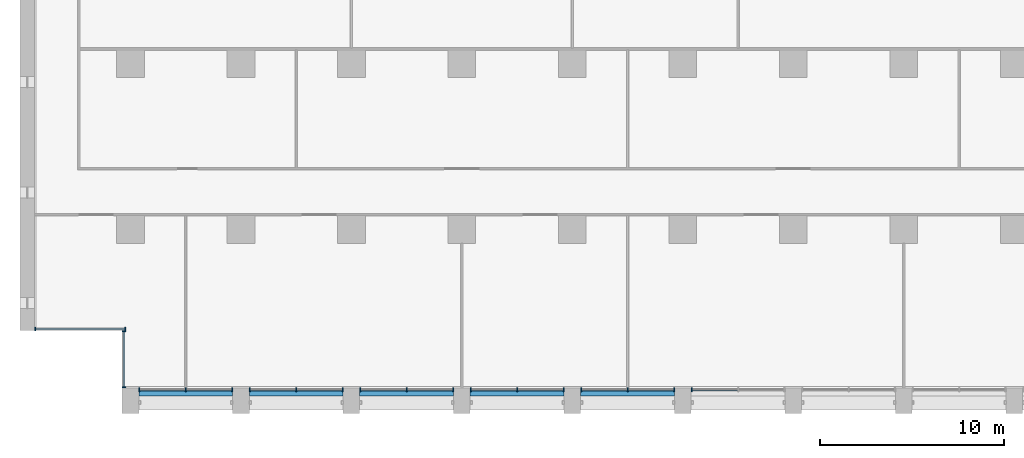
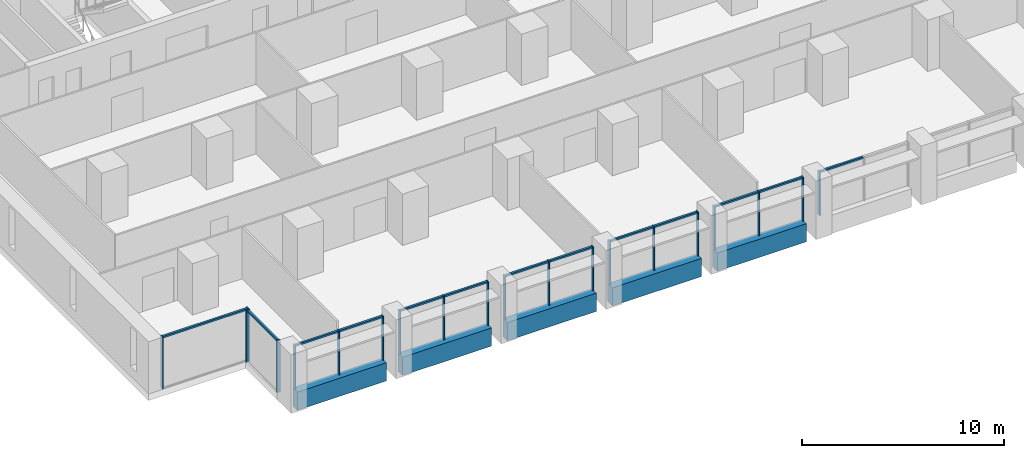
# One storey, part 2 of 18: 33 members, 5 beams, 8 elements without a shape of their own.
"""IFC4 building model written with IfcOpenShell, lengths in metres."""

from ifc_helpers import new_model, si_unit, direction, frame, origin, origin_2d, place, context, subcontext, project, spatial, rectangle, extrude, material, material_profile, profile_set, type_object, element, aggregate, save


model = new_model("IFC4")

# Units and contexts
model_context = context("Model", 3, precision=1e-05, world=origin(), true_north=direction((0.0, 1.0)))
body_context = subcontext(model_context, "Body", "Model", "MODEL_VIEW")
ifc_project = project(units=[si_unit("LENGTHUNIT", "METRE"), si_unit("AREAUNIT", "SQUARE_METRE"), si_unit("VOLUMEUNIT", "CUBIC_METRE"), si_unit("PLANEANGLEUNIT", "RADIAN"), si_unit("MASSUNIT", "GRAM", prefix="KILO")], contexts=[model_context])

# Site, building, storey
site_placement = place(None, origin())
site = spatial("IfcSite", under=ifc_project, at=site_placement, CompositionType="ELEMENT")
building_placement = place(site_placement, origin())
building = spatial("IfcBuilding", under=site, at=building_placement, Name="Calvaro Tower", CompositionType="ELEMENT")
storey_placement = place(building_placement, frame((0.0, 0.0, 86.25)))
storey = spatial("IfcBuildingStorey", under=building, at=storey_placement, Name="L21", CompositionType="ELEMENT", Elevation=86.25)

# Curtain wall, members
ifc_material_1 = material(Name="Anodised aluminium", Category="aluminium")
curtain_wall_type = type_object("IfcCurtainWallType", Name="Office curtain wall, lower zone", PredefinedType="NOTDEFINED", material=ifc_material_1)
curtain_wall_1_placement = place(storey_placement, origin())
curtain_wall_1 = element("IfcCurtainWall", 1, at=curtain_wall_1_placement, inside=storey, type_object=curtain_wall_type, Name="CW1 south curtain wall", PredefinedType="NOTDEFINED")
ifc_material_2 = material(Name="Anodised aluminium", Category="aluminium")
ifc_material_profile_1 = material_profile(ifc_material_2, rectangle(XDim=0.199951171875, YDim=0.06005859375, at=origin_2d()), Name="Mullion S1 60 x 200")
ifc_profile_set_1 = profile_set([ifc_material_profile_1], Name="Anodised aluminium")
member_type_1 = type_object("IfcMemberType", Name="Mullion S1 60 x 200", PredefinedType="MULLION", material=ifc_profile_set_1)
member_1_placement = place(storey_placement, frame((6.47998046875, 1.300048828125, 0.0), z_axis=(0.0, 0.0, 1.0), x_axis=(0.0, 1.0, 0.0)))
member_1 = element("IfcMember", 2, at=member_1_placement, type_object=member_type_1, Name="CW1 mullion 1", PredefinedType="MULLION", context=body_context, shape_type="SweptSolid", body=[
    extrude(rectangle(XDim=0.199951171875, YDim=0.06005859375, at=origin_2d()), origin(), (0.0, 0.0, 1.0), 2.64990234375),
])
member_2_placement = place(storey_placement, frame((9.0, 1.300048828125, 0.0), z_axis=(0.0, 0.0, 1.0), x_axis=(0.0, 1.0, 0.0)))
member_2 = element("IfcMember", 3, at=member_2_placement, type_object=member_type_1, Name="CW1 mullion 2", PredefinedType="MULLION", context=body_context, shape_type="SweptSolid", body=[
    extrude(rectangle(XDim=0.199951171875, YDim=0.06005859375, at=origin_2d()), origin(), (0.0, 0.0, 1.0), 2.64990234375),
])
member_3_placement = place(storey_placement, frame((11.52001953125, 1.300048828125, 0.0), z_axis=(0.0, 0.0, 1.0), x_axis=(0.0, 1.0, 0.0)))
member_3 = element("IfcMember", 4, at=member_3_placement, type_object=member_type_1, Name="CW1 mullion 3", PredefinedType="MULLION", context=body_context, shape_type="SweptSolid", body=[
    extrude(rectangle(XDim=0.199951171875, YDim=0.06005859375, at=origin_2d()), origin(), (0.0, 0.0, 1.0), 2.64990234375),
])

curtain_wall_2_placement = place(storey_placement, origin())
curtain_wall_2 = element("IfcCurtainWall", 5, at=curtain_wall_2_placement, inside=storey, type_object=curtain_wall_type, Name="CW1 south curtain wall", PredefinedType="NOTDEFINED")
member_4_placement = place(storey_placement, frame((12.47998046875, 1.300048828125, 0.0), z_axis=(0.0, 0.0, 1.0), x_axis=(0.0, 1.0, 0.0)))
member_4 = element("IfcMember", 6, at=member_4_placement, type_object=member_type_1, Name="CW1 mullion 1", PredefinedType="MULLION", context=body_context, shape_type="SweptSolid", body=[
    extrude(rectangle(XDim=0.199951171875, YDim=0.06005859375, at=origin_2d()), origin(), (0.0, 0.0, 1.0), 2.64990234375),
])
member_5_placement = place(storey_placement, frame((15.0, 1.300048828125, 0.0), z_axis=(0.0, 0.0, 1.0), x_axis=(0.0, 1.0, 0.0)))
member_5 = element("IfcMember", 7, at=member_5_placement, type_object=member_type_1, Name="CW1 mullion 2", PredefinedType="MULLION", context=body_context, shape_type="SweptSolid", body=[
    extrude(rectangle(XDim=0.199951171875, YDim=0.06005859375, at=origin_2d()), origin(), (0.0, 0.0, 1.0), 2.64990234375),
])
member_6_placement = place(storey_placement, frame((17.52001953125, 1.300048828125, 0.0), z_axis=(0.0, 0.0, 1.0), x_axis=(0.0, 1.0, 0.0)))
member_6 = element("IfcMember", 8, at=member_6_placement, type_object=member_type_1, Name="CW1 mullion 3", PredefinedType="MULLION", context=body_context, shape_type="SweptSolid", body=[
    extrude(rectangle(XDim=0.199951171875, YDim=0.06005859375, at=origin_2d()), origin(), (0.0, 0.0, 1.0), 2.64990234375),
])

curtain_wall_3_placement = place(storey_placement, origin())
curtain_wall_3 = element("IfcCurtainWall", 9, at=curtain_wall_3_placement, inside=storey, type_object=curtain_wall_type, Name="CW1 south curtain wall", PredefinedType="NOTDEFINED")
member_7_placement = place(storey_placement, frame((18.47998046875, 1.300048828125, 0.0), z_axis=(0.0, 0.0, 1.0), x_axis=(0.0, 1.0, 0.0)))
member_7 = element("IfcMember", 10, at=member_7_placement, type_object=member_type_1, Name="CW1 mullion 1", PredefinedType="MULLION", context=body_context, shape_type="SweptSolid", body=[
    extrude(rectangle(XDim=0.199951171875, YDim=0.06005859375, at=origin_2d()), origin(), (0.0, 0.0, 1.0), 2.64990234375),
])
member_8_placement = place(storey_placement, frame((21.0, 1.300048828125, 0.0), z_axis=(0.0, 0.0, 1.0), x_axis=(0.0, 1.0, 0.0)))
member_8 = element("IfcMember", 11, at=member_8_placement, type_object=member_type_1, Name="CW1 mullion 2", PredefinedType="MULLION", context=body_context, shape_type="SweptSolid", body=[
    extrude(rectangle(XDim=0.199951171875, YDim=0.06005859375, at=origin_2d()), origin(), (0.0, 0.0, 1.0), 2.64990234375),
])
member_9_placement = place(storey_placement, frame((23.52001953125, 1.300048828125, 0.0), z_axis=(0.0, 0.0, 1.0), x_axis=(0.0, 1.0, 0.0)))
member_9 = element("IfcMember", 12, at=member_9_placement, type_object=member_type_1, Name="CW1 mullion 3", PredefinedType="MULLION", context=body_context, shape_type="SweptSolid", body=[
    extrude(rectangle(XDim=0.199951171875, YDim=0.06005859375, at=origin_2d()), origin(), (0.0, 0.0, 1.0), 2.64990234375),
])

curtain_wall_4_placement = place(storey_placement, origin())
curtain_wall_4 = element("IfcCurtainWall", 13, at=curtain_wall_4_placement, inside=storey, type_object=curtain_wall_type, Name="CW1 south curtain wall", PredefinedType="NOTDEFINED")
member_10_placement = place(storey_placement, frame((24.47998046875, 1.300048828125, 0.0), z_axis=(0.0, 0.0, 1.0), x_axis=(0.0, 1.0, 0.0)))
member_10 = element("IfcMember", 14, at=member_10_placement, type_object=member_type_1, Name="CW1 mullion 1", PredefinedType="MULLION", context=body_context, shape_type="SweptSolid", body=[
    extrude(rectangle(XDim=0.199951171875, YDim=0.06005859375, at=origin_2d()), origin(), (0.0, 0.0, 1.0), 2.64990234375),
])
member_11_placement = place(storey_placement, frame((27.0, 1.300048828125, 0.0), z_axis=(0.0, 0.0, 1.0), x_axis=(0.0, 1.0, 0.0)))
member_11 = element("IfcMember", 15, at=member_11_placement, type_object=member_type_1, Name="CW1 mullion 2", PredefinedType="MULLION", context=body_context, shape_type="SweptSolid", body=[
    extrude(rectangle(XDim=0.199951171875, YDim=0.06005859375, at=origin_2d()), origin(), (0.0, 0.0, 1.0), 2.64990234375),
])
member_12_placement = place(storey_placement, frame((29.52001953125, 1.300048828125, 0.0), z_axis=(0.0, 0.0, 1.0), x_axis=(0.0, 1.0, 0.0)))
member_12 = element("IfcMember", 16, at=member_12_placement, type_object=member_type_1, Name="CW1 mullion 3", PredefinedType="MULLION", context=body_context, shape_type="SweptSolid", body=[
    extrude(rectangle(XDim=0.199951171875, YDim=0.06005859375, at=origin_2d()), origin(), (0.0, 0.0, 1.0), 2.64990234375),
])

curtain_wall_5_placement = place(storey_placement, origin())
curtain_wall_5 = element("IfcCurtainWall", 17, at=curtain_wall_5_placement, inside=storey, type_object=curtain_wall_type, Name="CW1 south curtain wall", PredefinedType="NOTDEFINED")
member_13_placement = place(storey_placement, frame((30.47998046875, 1.300048828125, 0.0), z_axis=(0.0, 0.0, 1.0), x_axis=(0.0, 1.0, 0.0)))
member_13 = element("IfcMember", 18, at=member_13_placement, type_object=member_type_1, Name="CW1 mullion 1", PredefinedType="MULLION", context=body_context, shape_type="SweptSolid", body=[
    extrude(rectangle(XDim=0.199951171875, YDim=0.06005859375, at=origin_2d()), origin(), (0.0, 0.0, 1.0), 2.64990234375),
])
member_14_placement = place(storey_placement, frame((33.0, 1.300048828125, 0.0), z_axis=(0.0, 0.0, 1.0), x_axis=(0.0, 1.0, 0.0)))
member_14 = element("IfcMember", 19, at=member_14_placement, type_object=member_type_1, Name="CW1 mullion 2", PredefinedType="MULLION", context=body_context, shape_type="SweptSolid", body=[
    extrude(rectangle(XDim=0.199951171875, YDim=0.06005859375, at=origin_2d()), origin(), (0.0, 0.0, 1.0), 2.64990234375),
])
member_15_placement = place(storey_placement, frame((35.52001953125, 1.300048828125, 0.0), z_axis=(0.0, 0.0, 1.0), x_axis=(0.0, 1.0, 0.0)))
member_15 = element("IfcMember", 20, at=member_15_placement, type_object=member_type_1, Name="CW1 mullion 3", PredefinedType="MULLION", context=body_context, shape_type="SweptSolid", body=[
    extrude(rectangle(XDim=0.199951171875, YDim=0.06005859375, at=origin_2d()), origin(), (0.0, 0.0, 1.0), 2.64990234375),
])

# Curtain wall, member
curtain_wall_6_placement = place(storey_placement, origin())
curtain_wall_6 = element("IfcCurtainWall", 21, at=curtain_wall_6_placement, inside=storey, type_object=curtain_wall_type, Name="CW1 south curtain wall", PredefinedType="NOTDEFINED")
member_16_placement = place(storey_placement, frame((36.47998046875, 1.300048828125, 0.0), z_axis=(0.0, 0.0, 1.0), x_axis=(0.0, 1.0, 0.0)))
member_16 = element("IfcMember", 22, at=member_16_placement, type_object=member_type_1, Name="CW1 mullion 1", PredefinedType="MULLION", context=body_context, shape_type="SweptSolid", body=[
    extrude(rectangle(XDim=0.199951171875, YDim=0.06005859375, at=origin_2d()), origin(), (0.0, 0.0, 1.0), 2.64990234375),
])

# Curtain wall, members
curtain_wall_7_placement = place(storey_placement, origin())
curtain_wall_7 = element("IfcCurtainWall", 23, at=curtain_wall_7_placement, inside=storey, type_object=curtain_wall_type, Name="CW1 corner curtain wall", PredefinedType="NOTDEFINED")
member_17_placement = place(storey_placement, frame((5.64990234375, 1.429931640625, 0.0), z_axis=(0.0, 0.0, 1.0), x_axis=(-1.0, 0.0, 0.0)))
member_17 = element("IfcMember", 24, at=member_17_placement, type_object=member_type_1, Name="CW1 mullion 1", PredefinedType="MULLION", context=body_context, shape_type="SweptSolid", body=[
    extrude(rectangle(XDim=0.199951171875, YDim=0.06005859375, at=origin_2d()), origin(), (0.0, 0.0, 1.0), 3.14990234375),
])
member_18_placement = place(storey_placement, frame((5.64990234375, 4.469970703125, 0.0), z_axis=(0.0, 0.0, 1.0), x_axis=(-1.0, 0.0, 0.0)))
member_18 = element("IfcMember", 25, at=member_18_placement, type_object=member_type_1, Name="CW1 mullion 2", PredefinedType="MULLION", context=body_context, shape_type="SweptSolid", body=[
    extrude(rectangle(XDim=0.199951171875, YDim=0.06005859375, at=origin_2d()), origin(), (0.0, 0.0, 1.0), 3.14990234375),
])

curtain_wall_8_placement = place(storey_placement, origin())
curtain_wall_8 = element("IfcCurtainWall", 26, at=curtain_wall_8_placement, inside=storey, type_object=curtain_wall_type, Name="CW1 corner curtain wall", PredefinedType="NOTDEFINED")
member_19_placement = place(storey_placement, frame((0.830078125, 4.60009765625, 0.0), z_axis=(0.0, 0.0, 1.0), x_axis=(0.0, 1.0, 0.0)))
member_19 = element("IfcMember", 27, at=member_19_placement, type_object=member_type_1, Name="CW1 mullion 1", PredefinedType="MULLION", context=body_context, shape_type="SweptSolid", body=[
    extrude(rectangle(XDim=0.199951171875, YDim=0.06005859375, at=origin_2d()), origin(), (0.0, 0.0, 1.0), 3.14990234375),
])
member_20_placement = place(storey_placement, frame((5.719970703125, 4.60009765625, 0.0), z_axis=(0.0, 0.0, 1.0), x_axis=(0.0, 1.0, 0.0)))
member_20 = element("IfcMember", 28, at=member_20_placement, type_object=member_type_1, Name="CW1 mullion 2", PredefinedType="MULLION", context=body_context, shape_type="SweptSolid", body=[
    extrude(rectangle(XDim=0.199951171875, YDim=0.06005859375, at=origin_2d()), origin(), (0.0, 0.0, 1.0), 3.14990234375),
])

# Beams
ifc_material_3 = material(Name="Concrete C50/60 precast", Category="concrete")
ifc_material_profile_2 = material_profile(ifc_material_3, rectangle(XDim=0.449951171875, YDim=1.10009765625, at=origin_2d()), Name="RC 450x1100")
ifc_profile_set_2 = profile_set([ifc_material_profile_2], Name="Concrete C50/60 precast")
beam_type = type_object("IfcBeamType", Name="Spandrel beam 450x1100 C50/60", PredefinedType="SPANDREL", material=ifc_profile_set_2)
for number, where, z_axis, x_axis, name in (
    (29, (6.449951171875, 1.175048828125, -0.550048828125), (1.0, 0.0, 0.0), (0.0, 1.0, 0.0), "Spandrel beam"),
    (30, (12.449951171875, 1.175048828125, -0.550048828125), (1.0, 0.0, 0.0), (0.0, 1.0, 0.0), "Spandrel beam"),
    (31, (18.449951171875, 1.175048828125, -0.550048828125), (1.0, 0.0, 0.0), (0.0, 1.0, 0.0), "Spandrel beam"),
    (32, (24.449951171875, 1.175048828125, -0.550048828125), (1.0, 0.0, 0.0), (0.0, 1.0, 0.0), "Spandrel beam"),
    (33, (30.449951171875, 1.175048828125, -0.550048828125), (1.0, 0.0, 0.0), (0.0, 1.0, 0.0), "Spandrel beam"),
):
    element("IfcBeam", number, at=place(storey_placement, frame(where, z_axis=z_axis, x_axis=x_axis)), inside=storey, type_object=beam_type, Name=name, PredefinedType="SPANDREL", context=body_context, shape_type="SweptSolid", body=[
        extrude(rectangle(XDim=0.449951171875, YDim=1.10009765625, at=origin_2d()), origin(), (0.0, 0.0, 1.0), 5.10009765625),
    ])

# Member
ifc_material_4 = material(Name="Anodised aluminium", Category="aluminium")
ifc_material_profile_3 = material_profile(ifc_material_4, rectangle(XDim=0.1201171875, YDim=0.10009765625, at=origin_2d()), Name="Transom S1 100 x 120")
ifc_profile_set_3 = profile_set([ifc_material_profile_3], Name="Anodised aluminium")
member_type_2 = type_object("IfcMemberType", Name="Transom S1 100 x 120", PredefinedType="USERDEFINED", material=ifc_profile_set_3)
member_21_placement = place(storey_placement, frame((6.510009765625, 1.300048828125, 2.60009765625), z_axis=(1.0, 0.0, 0.0), x_axis=(0.0, 1.0, 0.0)))
member_21 = element("IfcMember", 34, at=member_21_placement, type_object=member_type_2, Name="CW1 transom 1.1", ObjectType="TRANSOM", PredefinedType="USERDEFINED", context=body_context, shape_type="SweptSolid", body=[
    extrude(rectangle(XDim=0.1201171875, YDim=0.10009765625, at=origin_2d()), origin(), (0.0, 0.0, 1.0), 2.4599609375),
])

member_22_placement = place(storey_placement, frame((9.030029296875, 1.300048828125, 2.60009765625), z_axis=(1.0, 0.0, 0.0), x_axis=(0.0, 1.0, 0.0)))
member_22 = element("IfcMember", 35, at=member_22_placement, type_object=member_type_2, Name="CW1 transom 2.1", ObjectType="TRANSOM", PredefinedType="USERDEFINED", context=body_context, shape_type="SweptSolid", body=[
    extrude(rectangle(XDim=0.1201171875, YDim=0.10009765625, at=origin_2d()), origin(), (0.0, 0.0, 1.0), 2.4599609375),
])

aggregate(curtain_wall_1, [member_1, member_2, member_3, member_21, member_22])

member_23_placement = place(storey_placement, frame((12.510009765625, 1.300048828125, 2.60009765625), z_axis=(1.0, 0.0, 0.0), x_axis=(0.0, 1.0, 0.0)))
member_23 = element("IfcMember", 36, at=member_23_placement, type_object=member_type_2, Name="CW1 transom 1.1", ObjectType="TRANSOM", PredefinedType="USERDEFINED", context=body_context, shape_type="SweptSolid", body=[
    extrude(rectangle(XDim=0.1201171875, YDim=0.10009765625, at=origin_2d()), origin(), (0.0, 0.0, 1.0), 2.4599609375),
])

member_24_placement = place(storey_placement, frame((15.030029296875, 1.300048828125, 2.60009765625), z_axis=(1.0, 0.0, 0.0), x_axis=(0.0, 1.0, 0.0)))
member_24 = element("IfcMember", 37, at=member_24_placement, type_object=member_type_2, Name="CW1 transom 2.1", ObjectType="TRANSOM", PredefinedType="USERDEFINED", context=body_context, shape_type="SweptSolid", body=[
    extrude(rectangle(XDim=0.1201171875, YDim=0.10009765625, at=origin_2d()), origin(), (0.0, 0.0, 1.0), 2.4599609375),
])

aggregate(curtain_wall_2, [member_4, member_5, member_6, member_23, member_24])

member_25_placement = place(storey_placement, frame((18.510009765625, 1.300048828125, 2.60009765625), z_axis=(1.0, 0.0, 0.0), x_axis=(0.0, 1.0, 0.0)))
member_25 = element("IfcMember", 38, at=member_25_placement, type_object=member_type_2, Name="CW1 transom 1.1", ObjectType="TRANSOM", PredefinedType="USERDEFINED", context=body_context, shape_type="SweptSolid", body=[
    extrude(rectangle(XDim=0.1201171875, YDim=0.10009765625, at=origin_2d()), origin(), (0.0, 0.0, 1.0), 2.4599609375),
])

member_26_placement = place(storey_placement, frame((21.030029296875, 1.300048828125, 2.60009765625), z_axis=(1.0, 0.0, 0.0), x_axis=(0.0, 1.0, 0.0)))
member_26 = element("IfcMember", 39, at=member_26_placement, type_object=member_type_2, Name="CW1 transom 2.1", ObjectType="TRANSOM", PredefinedType="USERDEFINED", context=body_context, shape_type="SweptSolid", body=[
    extrude(rectangle(XDim=0.1201171875, YDim=0.10009765625, at=origin_2d()), origin(), (0.0, 0.0, 1.0), 2.4599609375),
])

aggregate(curtain_wall_3, [member_7, member_8, member_9, member_25, member_26])

member_27_placement = place(storey_placement, frame((24.510009765625, 1.300048828125, 2.60009765625), z_axis=(1.0, 0.0, 0.0), x_axis=(0.0, 1.0, 0.0)))
member_27 = element("IfcMember", 40, at=member_27_placement, type_object=member_type_2, Name="CW1 transom 1.1", ObjectType="TRANSOM", PredefinedType="USERDEFINED", context=body_context, shape_type="SweptSolid", body=[
    extrude(rectangle(XDim=0.1201171875, YDim=0.10009765625, at=origin_2d()), origin(), (0.0, 0.0, 1.0), 2.4599609375),
])

member_28_placement = place(storey_placement, frame((27.030029296875, 1.300048828125, 2.60009765625), z_axis=(1.0, 0.0, 0.0), x_axis=(0.0, 1.0, 0.0)))
member_28 = element("IfcMember", 41, at=member_28_placement, type_object=member_type_2, Name="CW1 transom 2.1", ObjectType="TRANSOM", PredefinedType="USERDEFINED", context=body_context, shape_type="SweptSolid", body=[
    extrude(rectangle(XDim=0.1201171875, YDim=0.10009765625, at=origin_2d()), origin(), (0.0, 0.0, 1.0), 2.4599609375),
])

aggregate(curtain_wall_4, [member_10, member_11, member_12, member_27, member_28])

member_29_placement = place(storey_placement, frame((30.510009765625, 1.300048828125, 2.60009765625), z_axis=(1.0, 0.0, 0.0), x_axis=(0.0, 1.0, 0.0)))
member_29 = element("IfcMember", 42, at=member_29_placement, type_object=member_type_2, Name="CW1 transom 1.1", ObjectType="TRANSOM", PredefinedType="USERDEFINED", context=body_context, shape_type="SweptSolid", body=[
    extrude(rectangle(XDim=0.1201171875, YDim=0.10009765625, at=origin_2d()), origin(), (0.0, 0.0, 1.0), 2.4599609375),
])

member_30_placement = place(storey_placement, frame((33.030029296875, 1.300048828125, 2.60009765625), z_axis=(1.0, 0.0, 0.0), x_axis=(0.0, 1.0, 0.0)))
member_30 = element("IfcMember", 43, at=member_30_placement, type_object=member_type_2, Name="CW1 transom 2.1", ObjectType="TRANSOM", PredefinedType="USERDEFINED", context=body_context, shape_type="SweptSolid", body=[
    extrude(rectangle(XDim=0.1201171875, YDim=0.10009765625, at=origin_2d()), origin(), (0.0, 0.0, 1.0), 2.4599609375),
])

aggregate(curtain_wall_5, [member_13, member_14, member_15, member_29, member_30])

member_31_placement = place(storey_placement, frame((36.510009765625, 1.300048828125, 2.60009765625), z_axis=(1.0, 0.0, 0.0), x_axis=(0.0, 1.0, 0.0)))
member_31 = element("IfcMember", 44, at=member_31_placement, type_object=member_type_2, Name="CW1 transom 1.1", ObjectType="TRANSOM", PredefinedType="USERDEFINED", context=body_context, shape_type="SweptSolid", body=[
    extrude(rectangle(XDim=0.1201171875, YDim=0.10009765625, at=origin_2d()), origin(), (0.0, 0.0, 1.0), 2.4599609375),
])

aggregate(curtain_wall_6, [member_16, member_31])

member_32_placement = place(storey_placement, frame((5.64990234375, 1.4599609375, 3.10009765625), z_axis=(0.0, 1.0, 0.0), x_axis=(-1.0, 0.0, 0.0)))
member_32 = element("IfcMember", 45, at=member_32_placement, type_object=member_type_2, Name="CW1 transom 1.1", ObjectType="TRANSOM", PredefinedType="USERDEFINED", context=body_context, shape_type="SweptSolid", body=[
    extrude(rectangle(XDim=0.1201171875, YDim=0.10009765625, at=origin_2d()), origin(), (0.0, 0.0, 1.0), 2.97998046875),
])

aggregate(curtain_wall_7, [member_17, member_18, member_32])

member_33_placement = place(storey_placement, frame((0.860107421875, 4.60009765625, 3.10009765625), z_axis=(1.0, 0.0, 0.0), x_axis=(0.0, 1.0, 0.0)))
member_33 = element("IfcMember", 46, at=member_33_placement, type_object=member_type_2, Name="CW1 transom 1.1", ObjectType="TRANSOM", PredefinedType="USERDEFINED", context=body_context, shape_type="SweptSolid", body=[
    extrude(rectangle(XDim=0.1201171875, YDim=0.10009765625, at=origin_2d()), origin(), (0.0, 0.0, 1.0), 4.829833984375),
])

aggregate(curtain_wall_8, [member_19, member_20, member_33])

save(model, "model.ifc")
